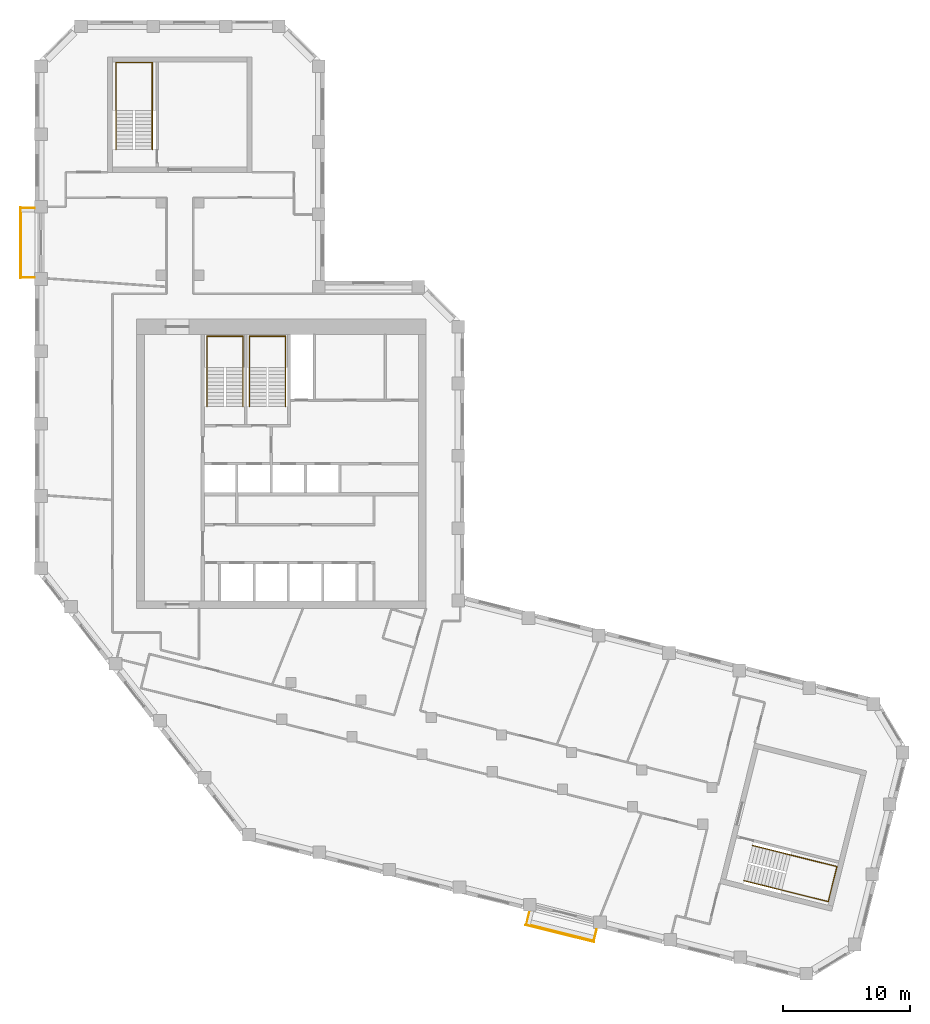
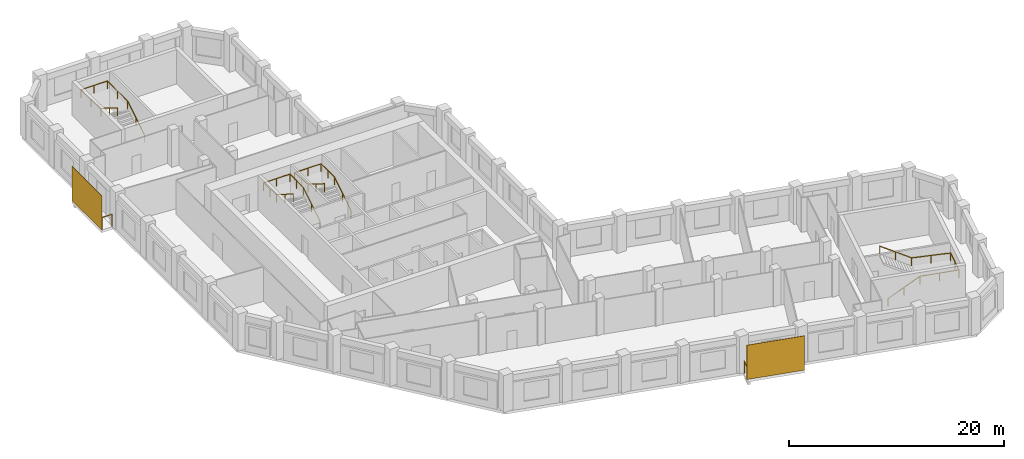
# One storey, part 9 of 9: 6 railings, 2 shading devices.
"""IFC4 building model written with IfcOpenShell, lengths in metres."""

from ifc_helpers import new_model, si_unit, direction, frame, origin, origin_2d, place, context, subcontext, project, spatial, rectangle, circle, extrude, material, layer, layer_set, type_object, element, save


model = new_model("IFC4")

# Units and contexts
model_context = context("Model", 3, precision=1e-05, world=origin(), true_north=direction((0.0, 1.0)))
body_context = subcontext(model_context, "Body", "Model", "MODEL_VIEW")
ifc_project = project(units=[si_unit("LENGTHUNIT", "METRE"), si_unit("AREAUNIT", "SQUARE_METRE"), si_unit("VOLUMEUNIT", "CUBIC_METRE"), si_unit("PLANEANGLEUNIT", "RADIAN"), si_unit("MASSUNIT", "GRAM", prefix="KILO")], contexts=[model_context])

# Site, building, storey
site_placement = place(None, origin())
site = spatial("IfcSite", under=ifc_project, at=site_placement, CompositionType="ELEMENT")
building_placement = place(site_placement, origin())
building = spatial("IfcBuilding", under=site, at=building_placement, Name="Meshkara Civic Tower", CompositionType="ELEMENT")
storey_placement = place(building_placement, frame((0.0, 0.0, 310.800048828125)))
storey = spatial("IfcBuildingStorey", under=building, at=storey_placement, Name="L71", CompositionType="ELEMENT", Elevation=310.800048828125)

# Railings
ifc_material_1 = material(Name="Steel S355", Category="steel")
railing_type_1 = type_object("IfcRailingType", Name="BALUSTRADE GUARD 1400", PredefinedType="BALUSTRADE", material=ifc_material_1)
railing_1_placement = place(storey_placement, frame((-0.050048828125, 45.635009765625, 0.0)))
element("IfcRailing", 1, at=railing_1_placement, inside=storey, type_object=railing_type_1, Name="Balcony guard", PredefinedType="BALUSTRADE", context=body_context, shape_type="SweptSolid", body=[
    extrude(circle(Radius=0.02392578125, at=origin_2d()), frame((0.0, 0.0, 1.3759765625), z_axis=(-1.0, 0.0, 0.0), x_axis=(0.0, -1.0, 0.0)), (0.0, 0.0, 1.0), 1.06005859375),
    extrude(circle(Radius=0.02392578125, at=origin_2d()), frame((-1.06005859375, 0.0, 1.3759765625), z_axis=(0.0, -1.0, 0.0), x_axis=(1.0, 0.0, 0.0)), (0.0, 0.0, 1.0), 5.4599609375),
    extrude(circle(Radius=0.02392578125, at=origin_2d()), frame((-1.06005859375, -5.4599609375, 1.3759765625), z_axis=(1.0, 0.0, 0.0), x_axis=(0.0, 1.0, 0.0)), (0.0, 0.0, 1.0), 1.06005859375),
    extrude(circle(Radius=0.02099609375, at=origin_2d()), origin(), (0.0, 0.0, 1.0), 1.351806640625),
    extrude(circle(Radius=0.02099609375, at=origin_2d()), frame((-1.06005859375, 0.0, 0.0)), (0.0, 0.0, 1.0), 1.351806640625),
    extrude(circle(Radius=0.02099609375, at=origin_2d()), frame((-1.06005859375, -1.092041015625, 0.0)), (0.0, 0.0, 1.0), 1.351806640625),
    extrude(circle(Radius=0.02099609375, at=origin_2d()), frame((-1.06005859375, -2.18408203125, 0.0)), (0.0, 0.0, 1.0), 1.351806640625),
    extrude(circle(Radius=0.02099609375, at=origin_2d()), frame((-1.06005859375, -3.27587890625, 0.0)), (0.0, 0.0, 1.0), 1.351806640625),
    extrude(circle(Radius=0.02099609375, at=origin_2d()), frame((-1.06005859375, -4.367919921875, 0.0)), (0.0, 0.0, 1.0), 1.351806640625),
    extrude(circle(Radius=0.02099609375, at=origin_2d()), frame((-1.06005859375, -5.4599609375, 0.0)), (0.0, 0.0, 1.0), 1.351806640625),
    extrude(circle(Radius=0.02099609375, at=origin_2d()), frame((0.0, -5.4599609375, 0.0)), (0.0, 0.0, 1.0), 1.351806640625),
])
railing_2_placement = place(storey_placement, frame((38.944091796875, -9.87109375, 0.0)))
element("IfcRailing", 2, at=railing_2_placement, inside=storey, type_object=railing_type_1, Name="Balcony guard", PredefinedType="BALUSTRADE", context=body_context, shape_type="SweptSolid", body=[
    extrude(circle(Radius=0.02392578125, at=origin_2d()), frame((0.0, 0.0, 1.3759765625), z_axis=(-0.242234682028, -0.970217686307, 0.0), x_axis=(0.970217686307, -0.242234682028, 0.0)), (0.0, 0.0, 1.0), 0.954345703125),
    extrude(circle(Radius=0.02392578125, at=origin_2d()), frame((-0.231201171875, -0.926025390625, 1.3759765625), z_axis=(0.970334237753, -0.241767382094, 0.0), x_axis=(0.241767382094, 0.970334237753, 0.0)), (0.0, 0.0, 1.0), 5.458984375),
    extrude(circle(Radius=0.02392578125, at=origin_2d()), frame((5.06591796875, -2.245849609375, 1.3759765625), z_axis=(0.242234364289, 0.970217765637, 0.0), x_axis=(-0.970217765637, 0.242234364289, 0.0)), (0.0, 0.0, 1.0), 0.953369140625),
    extrude(circle(Radius=0.02099609375, at=origin_2d()), origin(), (0.0, 0.0, 1.0), 1.351806640625),
    extrude(circle(Radius=0.02099609375, at=origin_2d()), frame((-0.231201171875, -0.926025390625, 0.0)), (0.0, 0.0, 1.0), 1.351806640625),
    extrude(circle(Radius=0.02099609375, at=origin_2d()), frame((0.828125, -1.18994140625, 0.0)), (0.0, 0.0, 1.0), 1.351806640625),
    extrude(circle(Radius=0.02099609375, at=origin_2d()), frame((1.8876953125, -1.453857421875, 0.0)), (0.0, 0.0, 1.0), 1.351806640625),
    extrude(circle(Radius=0.02099609375, at=origin_2d()), frame((2.947021484375, -1.718017578125, 0.0)), (0.0, 0.0, 1.0), 1.351806640625),
    extrude(circle(Radius=0.02099609375, at=origin_2d()), frame((4.006591796875, -1.98193359375, 0.0)), (0.0, 0.0, 1.0), 1.351806640625),
    extrude(circle(Radius=0.02099609375, at=origin_2d()), frame((5.06591796875, -2.245849609375, 0.0)), (0.0, 0.0, 1.0), 1.351806640625),
    extrude(circle(Radius=0.02099609375, at=origin_2d()), frame((5.296875, -1.32080078125, 0.0)), (0.0, 0.0, 1.0), 1.351806640625),
])

# Shading devices
ifc_material_2 = material(Name="Perforated bronze anodised aluminium sheet", Category="aluminium")
ifc_layer = layer(ifc_material_2, 0.0400390625)
ifc_layer_set = layer_set([ifc_layer], Name="PERFORATED BRONZE SCREEN")
shading_device_type = type_object("IfcShadingDeviceType", Name="PERFORATED BRONZE SCREEN", PredefinedType="USERDEFINED", material=ifc_layer_set)
shading_device_1_placement = place(storey_placement, frame((-1.179931640625, 42.905029296875, 0.0), z_axis=(0.0, 0.0, 1.0), x_axis=(0.0, -1.0, 0.0)))
element("IfcShadingDevice", 3, at=shading_device_1_placement, inside=storey, type_object=shading_device_type, Name="Balcony screen", ObjectType="SCREEN", PredefinedType="USERDEFINED", context=body_context, shape_type="SweptSolid", body=[
    extrude(rectangle(XDim=5.580078125, YDim=0.0400390625, at=origin_2d()), origin(), (0.0, 0.0, 1.0), 3.89990234375),
])
shading_device_2_placement = place(storey_placement, frame((41.344970703125, -11.52490234375, 0.0), z_axis=(0.0, 0.0, 1.0), x_axis=(0.970295726276, -0.2419218956, 0.0)))
element("IfcShadingDevice", 4, at=shading_device_2_placement, inside=storey, type_object=shading_device_type, Name="Balcony screen", ObjectType="SCREEN", PredefinedType="USERDEFINED", context=body_context, shape_type="SweptSolid", body=[
    extrude(rectangle(XDim=5.5791015625, YDim=0.0400390625, at=origin_2d()), origin(), (0.0, 0.0, 1.0), 3.89990234375),
])

# Railings
ifc_material_3 = material(Name="Steel handrail", Category="steel")
railing_type_2 = type_object("IfcRailingType", Name="Stair handrail 900", PredefinedType="HANDRAIL", material=ifc_material_3)
railing_3_placement = place(storey_placement, frame((16.375, 30.0, 0.175048828125)))
element("IfcRailing", 5, at=railing_3_placement, inside=storey, type_object=railing_type_2, Name="L71 ST1 stair handrail 1", PredefinedType="HANDRAIL", context=body_context, shape_type="SweptSolid", body=[
    extrude(circle(Radius=0.02392578125, at=origin_2d()), frame((0.0, 0.0, 0.8759765625), z_axis=(0.0, 0.848028513186, 0.529950602248), x_axis=(-1.0, 0.0, 0.0)), (0.0, 0.0, 1.0), 3.632080078125),
    extrude(circle(Radius=0.02392578125, at=origin_2d()), frame((0.0, 3.080078125, 2.80078125), z_axis=(0.0, 1.0, 0.0), x_axis=(-1.0, 0.0, 0.0)), (0.0, 0.0, 1.0), 2.469970703125),
    extrude(circle(Radius=0.02392578125, at=origin_2d()), frame((0.0, 5.550048828125, 2.80078125), z_axis=(-1.0, 0.0, 0.0), x_axis=(0.0, -1.0, 0.0)), (0.0, 0.0, 1.0), 2.85009765625),
    extrude(circle(Radius=0.02392578125, at=origin_2d()), frame((-2.85009765625, 5.550048828125, 2.80078125), z_axis=(0.0, -0.997498084828, 0.070693498747), x_axis=(1.0, 0.0, 0.0)), (0.0, 0.0, 1.0), 2.47607421875),
    extrude(circle(Radius=0.02392578125, at=origin_2d()), frame((-2.85009765625, 3.080078125, 2.9755859375), z_axis=(0.0, -0.847998304005, 0.529998940003), x_axis=(1.0, 0.0, 0.0)), (0.0, 0.0, 1.0), 3.632080078125),
    extrude(circle(Radius=0.02099609375, at=origin_2d()), origin(), (0.0, 0.0, 1.0), 0.851806640625),
    extrude(circle(Radius=0.02099609375, at=origin_2d()), frame((0.0, 1.5400390625, 0.96240234375)), (0.0, 0.0, 1.0), 0.851806640625),
    extrude(circle(Radius=0.02099609375, at=origin_2d()), frame((0.0, 3.080078125, 1.9248046875)), (0.0, 0.0, 1.0), 0.851806640625),
    extrude(circle(Radius=0.02099609375, at=origin_2d()), frame((0.0, 4.31494140625, 1.9248046875)), (0.0, 0.0, 1.0), 0.851806640625),
    extrude(circle(Radius=0.02099609375, at=origin_2d()), frame((0.0, 5.550048828125, 1.9248046875)), (0.0, 0.0, 1.0), 0.851806640625),
    extrude(circle(Radius=0.02099609375, at=origin_2d()), frame((-1.425048828125, 5.550048828125, 1.9248046875)), (0.0, 0.0, 1.0), 0.851806640625),
    extrude(circle(Radius=0.02099609375, at=origin_2d()), frame((-2.85009765625, 5.550048828125, 1.9248046875)), (0.0, 0.0, 1.0), 0.851806640625),
    extrude(circle(Radius=0.02099609375, at=origin_2d()), frame((-2.85009765625, 4.31494140625, 2.01220703125)), (0.0, 0.0, 1.0), 0.851806640625),
    extrude(circle(Radius=0.02099609375, at=origin_2d()), frame((-2.85009765625, 3.080078125, 2.099853515625)), (0.0, 0.0, 1.0), 0.851806640625),
    extrude(circle(Radius=0.02099609375, at=origin_2d()), frame((-2.85009765625, 1.5400390625, 3.0625)), (0.0, 0.0, 1.0), 0.851806640625),
    extrude(circle(Radius=0.02099609375, at=origin_2d()), frame((-2.85009765625, 0.0, 4.02490234375)), (0.0, 0.0, 1.0), 0.851806640625),
])
railing_4_placement = place(storey_placement, frame((19.72509765625, 30.0, 0.175048828125)))
element("IfcRailing", 6, at=railing_4_placement, inside=storey, type_object=railing_type_2, Name="L71 ST2 stair handrail 1", PredefinedType="HANDRAIL", context=body_context, shape_type="SweptSolid", body=[
    extrude(circle(Radius=0.02392578125, at=origin_2d()), frame((0.0, 0.0, 0.8759765625), z_axis=(0.0, 0.848028513186, 0.529950602248), x_axis=(-1.0, 0.0, 0.0)), (0.0, 0.0, 1.0), 3.632080078125),
    extrude(circle(Radius=0.02392578125, at=origin_2d()), frame((0.0, 3.080078125, 2.80078125), z_axis=(0.0, 1.0, 0.0), x_axis=(-1.0, 0.0, 0.0)), (0.0, 0.0, 1.0), 2.469970703125),
    extrude(circle(Radius=0.02392578125, at=origin_2d()), frame((0.0, 5.550048828125, 2.80078125), z_axis=(-1.0, 0.0, 0.0), x_axis=(0.0, -1.0, 0.0)), (0.0, 0.0, 1.0), 2.85009765625),
    extrude(circle(Radius=0.02392578125, at=origin_2d()), frame((-2.85009765625, 5.550048828125, 2.80078125), z_axis=(0.0, -0.997498084828, 0.070693498747), x_axis=(1.0, 0.0, 0.0)), (0.0, 0.0, 1.0), 2.47607421875),
    extrude(circle(Radius=0.02392578125, at=origin_2d()), frame((-2.85009765625, 3.080078125, 2.9755859375), z_axis=(0.0, -0.847998304005, 0.529998940003), x_axis=(1.0, 0.0, 0.0)), (0.0, 0.0, 1.0), 3.632080078125),
    extrude(circle(Radius=0.02099609375, at=origin_2d()), origin(), (0.0, 0.0, 1.0), 0.851806640625),
    extrude(circle(Radius=0.02099609375, at=origin_2d()), frame((0.0, 1.5400390625, 0.96240234375)), (0.0, 0.0, 1.0), 0.851806640625),
    extrude(circle(Radius=0.02099609375, at=origin_2d()), frame((0.0, 3.080078125, 1.9248046875)), (0.0, 0.0, 1.0), 0.851806640625),
    extrude(circle(Radius=0.02099609375, at=origin_2d()), frame((0.0, 4.31494140625, 1.9248046875)), (0.0, 0.0, 1.0), 0.851806640625),
    extrude(circle(Radius=0.02099609375, at=origin_2d()), frame((0.0, 5.550048828125, 1.9248046875)), (0.0, 0.0, 1.0), 0.851806640625),
    extrude(circle(Radius=0.02099609375, at=origin_2d()), frame((-1.425048828125, 5.550048828125, 1.9248046875)), (0.0, 0.0, 1.0), 0.851806640625),
    extrude(circle(Radius=0.02099609375, at=origin_2d()), frame((-2.85009765625, 5.550048828125, 1.9248046875)), (0.0, 0.0, 1.0), 0.851806640625),
    extrude(circle(Radius=0.02099609375, at=origin_2d()), frame((-2.85009765625, 4.31494140625, 2.01220703125)), (0.0, 0.0, 1.0), 0.851806640625),
    extrude(circle(Radius=0.02099609375, at=origin_2d()), frame((-2.85009765625, 3.080078125, 2.099853515625)), (0.0, 0.0, 1.0), 0.851806640625),
    extrude(circle(Radius=0.02099609375, at=origin_2d()), frame((-2.85009765625, 1.5400390625, 3.0625)), (0.0, 0.0, 1.0), 0.851806640625),
    extrude(circle(Radius=0.02099609375, at=origin_2d()), frame((-2.85009765625, 0.0, 4.02490234375)), (0.0, 0.0, 1.0), 0.851806640625),
])
railing_5_placement = place(storey_placement, frame((9.22509765625, 50.27001953125, 0.175048828125)))
element("IfcRailing", 7, at=railing_5_placement, inside=storey, type_object=railing_type_2, Name="L71 ESA5 stair handrail 1", PredefinedType="HANDRAIL", context=body_context, shape_type="SweptSolid", body=[
    extrude(circle(Radius=0.02392578125, at=origin_2d()), frame((0.0, 0.0, 0.8759765625), z_axis=(0.0, 0.848028513186, 0.529950602248), x_axis=(-1.0, 0.0, 0.0)), (0.0, 0.0, 1.0), 3.632080078125),
    extrude(circle(Radius=0.02392578125, at=origin_2d()), frame((0.0, 3.080078125, 2.80078125), z_axis=(0.0, 1.0, 0.0), x_axis=(-1.0, 0.0, 0.0)), (0.0, 0.0, 1.0), 3.77001953125),
    extrude(circle(Radius=0.02392578125, at=origin_2d()), frame((0.0, 6.85009765625, 2.80078125), z_axis=(-1.0, 0.0, 0.0), x_axis=(0.0, -1.0, 0.0)), (0.0, 0.0, 1.0), 2.85009765625),
    extrude(circle(Radius=0.02392578125, at=origin_2d()), frame((-2.85009765625, 6.85009765625, 2.80078125), z_axis=(0.0, -0.9989237834, 0.046381838667), x_axis=(1.0, 0.0, 0.0)), (0.0, 0.0, 1.0), 3.774169921875),
    extrude(circle(Radius=0.02392578125, at=origin_2d()), frame((-2.85009765625, 3.080078125, 2.9755859375), z_axis=(0.0, -0.847998304005, 0.529998940003), x_axis=(1.0, 0.0, 0.0)), (0.0, 0.0, 1.0), 3.632080078125),
    extrude(circle(Radius=0.02099609375, at=origin_2d()), origin(), (0.0, 0.0, 1.0), 0.851806640625),
    extrude(circle(Radius=0.02099609375, at=origin_2d()), frame((0.0, 1.5400390625, 0.96240234375)), (0.0, 0.0, 1.0), 0.851806640625),
    extrude(circle(Radius=0.02099609375, at=origin_2d()), frame((0.0, 3.080078125, 1.9248046875)), (0.0, 0.0, 1.0), 0.851806640625),
    extrude(circle(Radius=0.02099609375, at=origin_2d()), frame((0.0, 4.965087890625, 1.9248046875)), (0.0, 0.0, 1.0), 0.851806640625),
    extrude(circle(Radius=0.02099609375, at=origin_2d()), frame((0.0, 6.85009765625, 1.9248046875)), (0.0, 0.0, 1.0), 0.851806640625),
    extrude(circle(Radius=0.02099609375, at=origin_2d()), frame((-1.425048828125, 6.85009765625, 1.9248046875)), (0.0, 0.0, 1.0), 0.851806640625),
    extrude(circle(Radius=0.02099609375, at=origin_2d()), frame((-2.85009765625, 6.85009765625, 1.9248046875)), (0.0, 0.0, 1.0), 0.851806640625),
    extrude(circle(Radius=0.02099609375, at=origin_2d()), frame((-2.85009765625, 4.965087890625, 2.01220703125)), (0.0, 0.0, 1.0), 0.851806640625),
    extrude(circle(Radius=0.02099609375, at=origin_2d()), frame((-2.85009765625, 3.080078125, 2.099853515625)), (0.0, 0.0, 1.0), 0.851806640625),
    extrude(circle(Radius=0.02099609375, at=origin_2d()), frame((-2.85009765625, 1.5400390625, 3.0625)), (0.0, 0.0, 1.0), 0.851806640625),
    extrude(circle(Radius=0.02099609375, at=origin_2d()), frame((-2.85009765625, 0.0, 4.02490234375)), (0.0, 0.0, 1.0), 0.851806640625),
])
railing_6_placement = place(storey_placement, frame((55.849365234375, -7.3544921875, 0.175048828125)))
element("IfcRailing", 8, at=railing_6_placement, inside=storey, type_object=railing_type_2, Name="L71 ESB5 stair handrail 1", PredefinedType="HANDRAIL", context=body_context, shape_type="SweptSolid", body=[
    extrude(circle(Radius=0.02392578125, at=origin_2d()), frame((0.0, 0.0, 0.8759765625), z_axis=(0.822811278243, -0.205282709236, 0.529943968439), x_axis=(0.242069343812, 0.970258951408, 0.0)), (0.0, 0.0, 1.0), 3.632080078125),
    extrude(circle(Radius=0.02392578125, at=origin_2d()), frame((2.988525390625, -0.74560546875, 2.80078125), z_axis=(0.970256677427, -0.242078458165, 0.0), x_axis=(0.242078458165, 0.970256677427, 0.0)), (0.0, 0.0, 1.0), 3.769775390625),
    extrude(circle(Radius=0.02392578125, at=origin_2d()), frame((6.646240234375, -1.658203125, 2.80078125), z_axis=(0.242072031574, 0.970258280835, 0.0), x_axis=(-0.970258280835, 0.242072031574, 0.0)), (0.0, 0.0, 1.0), 2.85009765625),
    extrude(circle(Radius=0.02392578125, at=origin_2d()), frame((7.336181640625, 1.107177734375, 2.80078125), z_axis=(-0.969216294885, 0.241802743795, 0.046381104147), x_axis=(-0.242063248025, -0.970260472221, 0.0)), (0.0, 0.0, 1.0), 3.774169921875),
    extrude(circle(Radius=0.02392578125, at=origin_2d()), frame((3.67822265625, 2.019775390625, 2.9755859375), z_axis=(-0.822771605551, 0.205222362071, 0.530028930537), x_axis=(-0.242013336109, -0.97027292302, 0.0)), (0.0, 0.0, 1.0), 3.632080078125),
    extrude(circle(Radius=0.02099609375, at=origin_2d()), origin(), (0.0, 0.0, 1.0), 0.851806640625),
    extrude(circle(Radius=0.02099609375, at=origin_2d()), frame((1.494140625, -0.372802734375, 0.96240234375)), (0.0, 0.0, 1.0), 0.851806640625),
    extrude(circle(Radius=0.02099609375, at=origin_2d()), frame((2.988525390625, -0.74560546875, 1.9248046875)), (0.0, 0.0, 1.0), 0.851806640625),
    extrude(circle(Radius=0.02099609375, at=origin_2d()), frame((4.8173828125, -1.201904296875, 1.9248046875)), (0.0, 0.0, 1.0), 0.851806640625),
    extrude(circle(Radius=0.02099609375, at=origin_2d()), frame((6.646240234375, -1.658203125, 1.9248046875)), (0.0, 0.0, 1.0), 0.851806640625),
    extrude(circle(Radius=0.02099609375, at=origin_2d()), frame((6.9912109375, -0.275390625, 1.9248046875)), (0.0, 0.0, 1.0), 0.851806640625),
    extrude(circle(Radius=0.02099609375, at=origin_2d()), frame((7.336181640625, 1.107177734375, 1.9248046875)), (0.0, 0.0, 1.0), 0.851806640625),
    extrude(circle(Radius=0.02099609375, at=origin_2d()), frame((5.50732421875, 1.5634765625, 2.01220703125)), (0.0, 0.0, 1.0), 0.851806640625),
    extrude(circle(Radius=0.02099609375, at=origin_2d()), frame((3.67822265625, 2.019775390625, 2.099853515625)), (0.0, 0.0, 1.0), 0.851806640625),
    extrude(circle(Radius=0.02099609375, at=origin_2d()), frame((2.18408203125, 2.392578125, 3.0625)), (0.0, 0.0, 1.0), 0.851806640625),
    extrude(circle(Radius=0.02099609375, at=origin_2d()), frame((0.68994140625, 2.76513671875, 4.02490234375)), (0.0, 0.0, 1.0), 0.851806640625),
])

save(model, "model.ifc")
